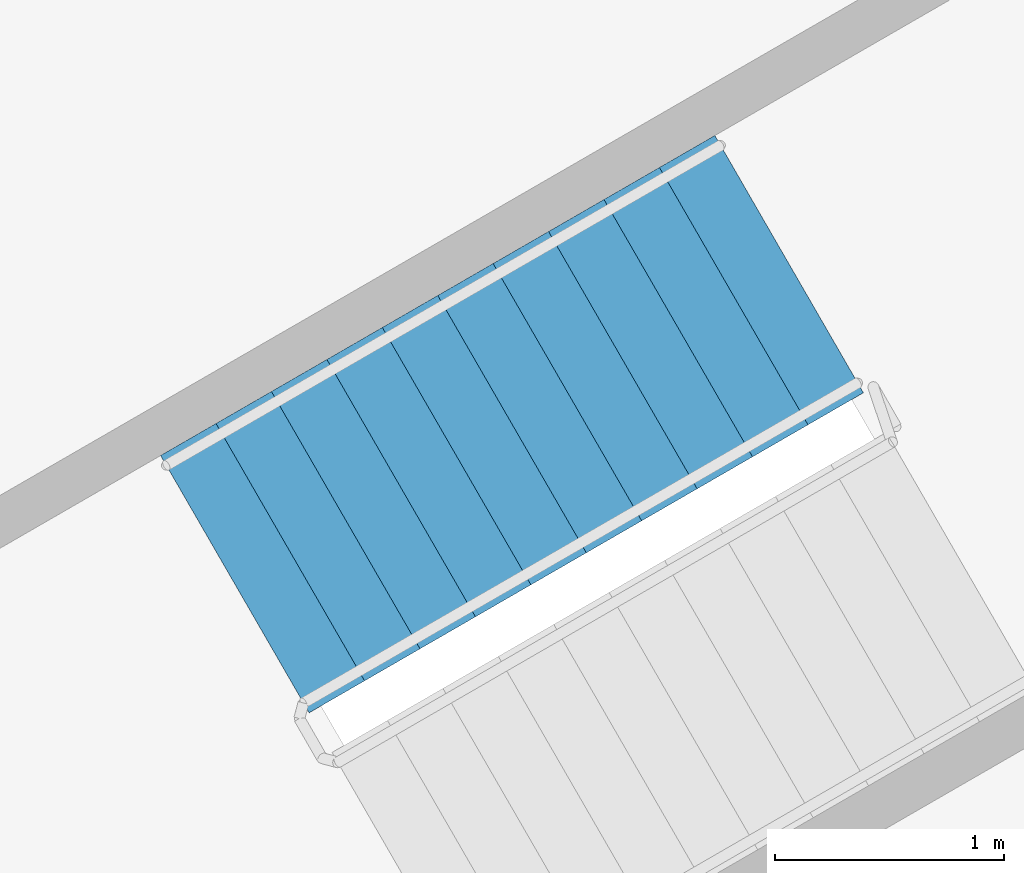
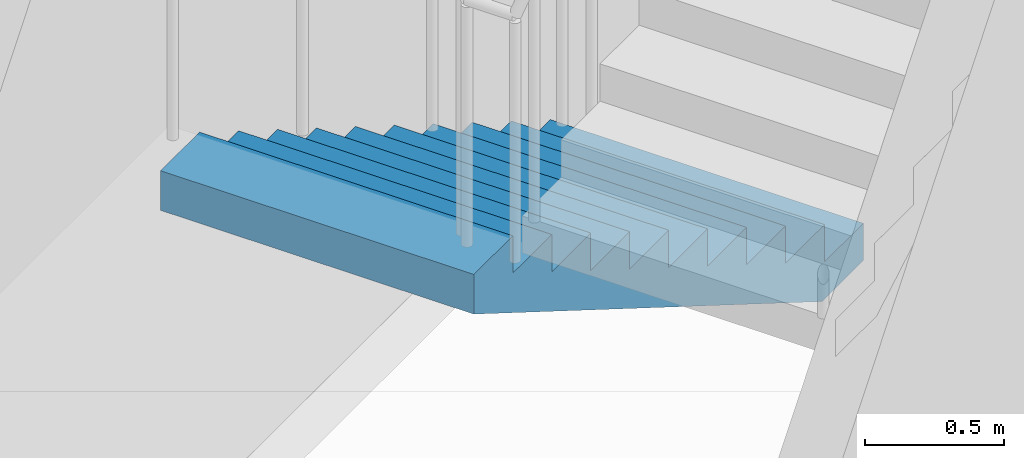
# One storey, part 15 of 17: 1 stair flight, 1 element without a shape of its own.
"""IFC4 building model written with IfcOpenShell, lengths in metres."""

from ifc_helpers import new_model, si_unit, direction, frame, origin, place, context, subcontext, project, spatial, polyline, outline, extrude, material, type_object, element, aggregate, save


model = new_model("IFC4")

# Units and contexts
model_context = context("Model", 3, precision=1e-05, world=origin(), true_north=direction((0.0, 1.0)))
body_context = subcontext(model_context, "Body", "Model", "MODEL_VIEW")
ifc_project = project(units=[si_unit("LENGTHUNIT", "METRE"), si_unit("AREAUNIT", "SQUARE_METRE"), si_unit("VOLUMEUNIT", "CUBIC_METRE"), si_unit("PLANEANGLEUNIT", "RADIAN"), si_unit("MASSUNIT", "GRAM", prefix="KILO")], contexts=[model_context])

# Site, building, storey
site_placement = place(None, origin())
site = spatial("IfcSite", under=ifc_project, at=site_placement, CompositionType="ELEMENT")
building_placement = place(site_placement, origin())
building = spatial("IfcBuilding", under=site, at=building_placement, Name="Verrane Prism Tower", CompositionType="ELEMENT")
storey_placement = place(building_placement, frame((0.0, 0.0, 92.800048828125)))
storey = spatial("IfcBuildingStorey", under=building, at=storey_placement, Name="L21", CompositionType="ELEMENT", Elevation=92.800048828125)

# Stair, stair flight
ifc_material_1 = material(Name="Concrete C40/50", Category="concrete")
stair_type = type_object("IfcStairType", Name="Exit stair 1300 dog-leg precast concrete C40/50", PredefinedType="HALF_TURN_STAIR", material=ifc_material_1)
stair_placement = place(storey_placement, origin())
stair = element("IfcStair", 1, at=stair_placement, inside=storey, type_object=stair_type, Name="Stair 1 L21", PredefinedType="HALF_TURN_STAIR")
ifc_material_2 = material(Name="Concrete C40/50", Category="concrete")
stair_flight_type = type_object("IfcStairFlightType", Name="Stair flight 1300 precast concrete C40/50", PredefinedType="STRAIGHT", material=ifc_material_2)
stair_flight_placement = place(storey_placement, frame((11.489501953125, 7.49951171875, 0.0), z_axis=(0.0, 0.0, 1.0), x_axis=(-0.866025403784, -0.5, 0.0)))
stair_flight = element("IfcStairFlight", 2, at=stair_flight_placement, type_object=stair_flight_type, Name="Stair 1 flight 1", NumberOfRisers=11, NumberOfTreads=10, PredefinedType="STRAIGHT", RiserHeight=0.163636364, TreadLength=0.28, context=body_context, shape_type="SweptSolid", body=[
    extrude(outline(polyline([(0.0, 0.0), (0.0, 0.16357421875), (0.280029296875, 0.16357421875), (0.280029296875, 0.327392578125), (0.56005859375, 0.327392578125), (0.56005859375, 0.490966796875), (0.840087890625, 0.490966796875), (0.840087890625, 0.654541015625), (1.1201171875, 0.654541015625), (1.1201171875, 0.818115234375), (1.39990234375, 0.818115234375), (1.39990234375, 0.98193359375), (1.679931640625, 0.98193359375), (1.679931640625, 1.1455078125), (1.9599609375, 1.1455078125), (1.9599609375, 1.30908203125), (2.239990234375, 1.30908203125), (2.239990234375, 1.47265625), (2.52001953125, 1.47265625), (2.52001953125, 1.636474609375), (2.800048828125, 1.636474609375), (2.800048828125, 1.800048828125), (2.800048828125, 1.462646484375), (0.297119140625, 0.0), (0.0, 0.0)])), frame((0.0, 0.64990234375, 0.0), z_axis=(0.0, -1.0, 0.0), x_axis=(1.0, 0.0, 0.0)), (0.0, 0.0, 1.0), 1.300048828125),
])
aggregate(stair, [stair_flight])

save(model, "model.ifc")
